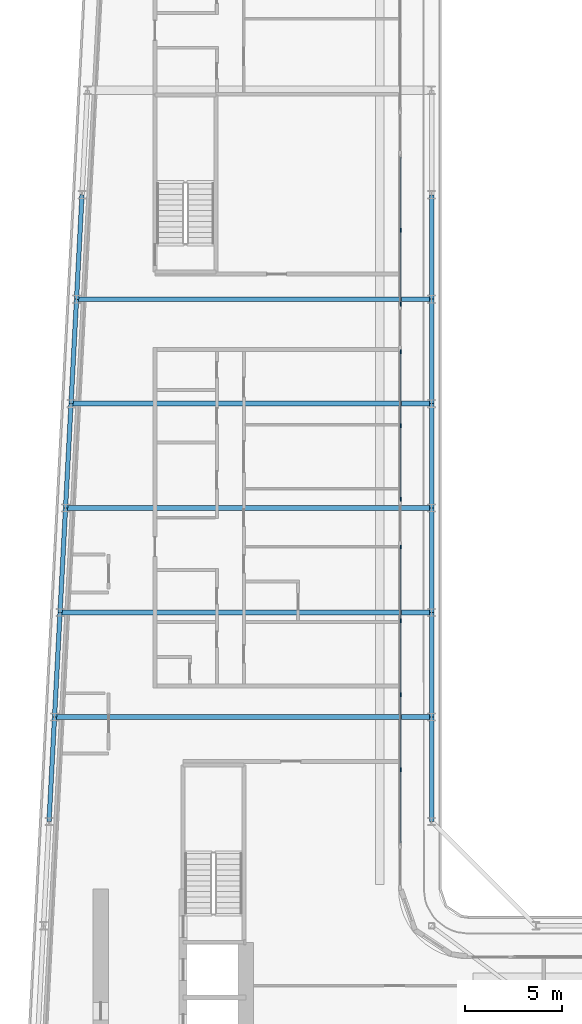
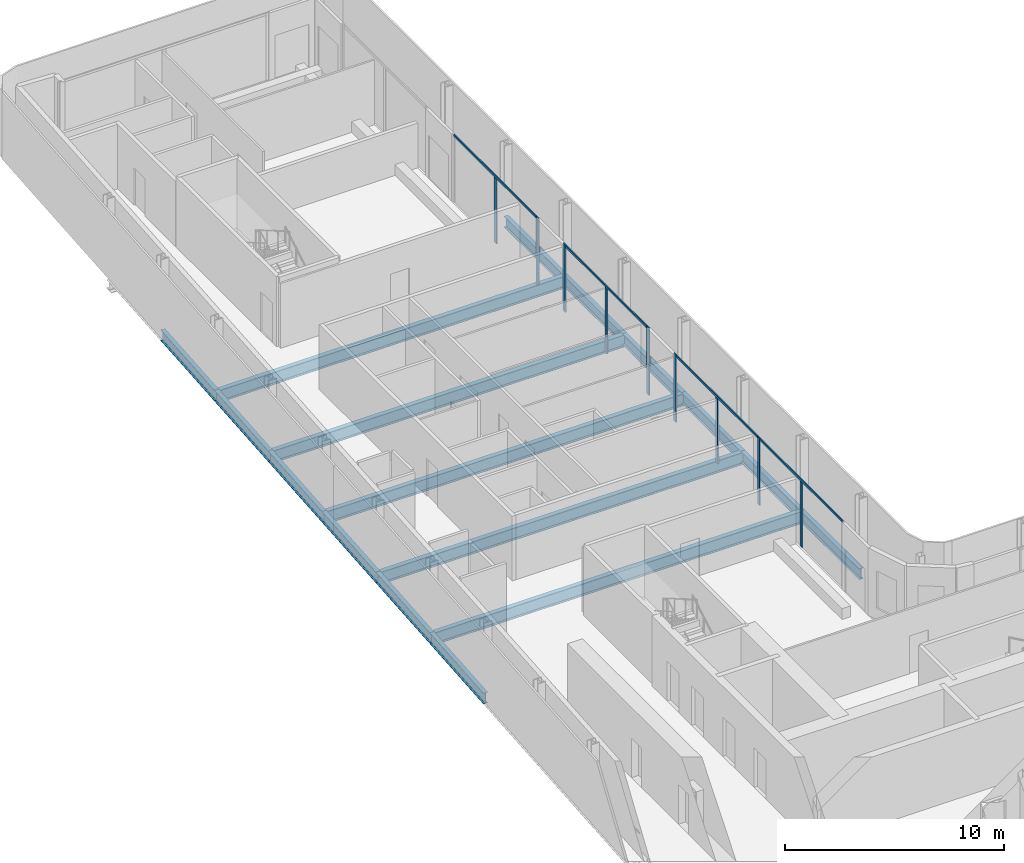
# One storey, part 9 of 29: 17 beams, 13 members, 4 elements without a shape of their own.
"""IFC4 building model written with IfcOpenShell, lengths in metres."""

from ifc_helpers import new_model, si_unit, direction, frame, origin, origin_2d, place, context, subcontext, project, spatial, rectangle, i_section, extrude, material, layer, layer_set, material_profile, profile_set, type_object, element, aggregate, save


model = new_model("IFC4")

# Units and contexts
model_context = context("Model", 3, precision=1e-05, world=origin(), true_north=direction((0.0, 1.0)))
body_context = subcontext(model_context, "Body", "Model", "MODEL_VIEW")
ifc_project = project(units=[si_unit("LENGTHUNIT", "METRE"), si_unit("AREAUNIT", "SQUARE_METRE"), si_unit("VOLUMEUNIT", "CUBIC_METRE"), si_unit("PLANEANGLEUNIT", "RADIAN"), si_unit("MASSUNIT", "GRAM", prefix="KILO")], contexts=[model_context])

# Site, building, storey
site_placement = place(None, origin())
site = spatial("IfcSite", under=ifc_project, at=site_placement, CompositionType="ELEMENT")
building_placement = place(site_placement, origin())
building = spatial("IfcBuilding", under=site, at=building_placement, Name="Kheshtan School and Residences Tower", CompositionType="ELEMENT")
storey_placement = place(building_placement, frame((0.0, 0.0, 168.199951171875)))
storey = spatial("IfcBuildingStorey", under=building, at=storey_placement, Name="L39", CompositionType="ELEMENT", Elevation=168.199951171875)

# Beams
ifc_material_1 = material(Name="Steel ASTM A992 Grade 50", Category="steel")
ifc_material_profile_1 = material_profile(ifc_material_1, i_section(OverallWidth=0.2529296875, OverallDepth=0.677978515625, WebThickness=0.01171875, FlangeThickness=0.016357421875, FilletRadius=0.0146484375, at=origin_2d()), Name="W690x125")
ifc_profile_set_1 = profile_set([ifc_material_profile_1], Name="Steel ASTM A992 Grade 50")
beam_type_1 = type_object("IfcBeamType", Name="Beam FB6 W690x125 ASTM A992 Grade 50", PredefinedType="BEAM", material=ifc_profile_set_1)
beam_1_placement = place(storey_placement, frame((47.60009765625, 78.0, -0.489013671875), z_axis=(-1.0, 0.0, 0.0), x_axis=(0.0, -1.0, 0.0)))
element("IfcBeam", 1, at=beam_1_placement, inside=storey, type_object=beam_type_1, Name="Floor beam C089", PredefinedType="BEAM", context=body_context, shape_type="SweptSolid", body=[
    extrude(i_section(OverallWidth=0.2529296875, OverallDepth=0.677978515625, WebThickness=0.01171875, FlangeThickness=0.016357421875, FilletRadius=0.0146484375, at=origin_2d()), origin(), (0.0, 0.0, 1.0), 18.357177734375),
])
beam_2_placement = place(storey_placement, frame((47.60009765625, 67.199951171875, -0.489013671875), z_axis=(-1.0, 0.0, 0.0), x_axis=(0.0, -1.0, 0.0)))
element("IfcBeam", 2, at=beam_2_placement, inside=storey, type_object=beam_type_1, Name="Floor beam C085", PredefinedType="BEAM", context=body_context, shape_type="SweptSolid", body=[
    extrude(i_section(OverallWidth=0.2529296875, OverallDepth=0.677978515625, WebThickness=0.01171875, FlangeThickness=0.016357421875, FilletRadius=0.0146484375, at=origin_2d()), origin(), (0.0, 0.0, 1.0), 18.926025390625),
])
beam_3_placement = place(storey_placement, frame((47.60009765625, 56.39990234375, -0.489013671875), z_axis=(-1.0, 0.0, 0.0), x_axis=(0.0, -1.0, 0.0)))
element("IfcBeam", 3, at=beam_3_placement, inside=storey, type_object=beam_type_1, Name="Floor beam C081", PredefinedType="BEAM", context=body_context, shape_type="SweptSolid", body=[
    extrude(i_section(OverallWidth=0.2529296875, OverallDepth=0.677978515625, WebThickness=0.01171875, FlangeThickness=0.016357421875, FilletRadius=0.0146484375, at=origin_2d()), origin(), (0.0, 0.0, 1.0), 19.494140625),
])
beam_4_placement = place(storey_placement, frame((28.389892578125, 61.800048828125, -0.489013671875), z_axis=(1.0, 0.0, 0.0), x_axis=(0.0, 1.0, 0.0)))
element("IfcBeam", 4, at=beam_4_placement, inside=storey, type_object=beam_type_1, Name="Floor beam C082", PredefinedType="BEAM", context=body_context, shape_type="SweptSolid", body=[
    extrude(i_section(OverallWidth=0.2529296875, OverallDepth=0.677978515625, WebThickness=0.01171875, FlangeThickness=0.016357421875, FilletRadius=0.0146484375, at=origin_2d()), origin(), (0.0, 0.0, 1.0), 19.210205078125),
])
beam_5_placement = place(storey_placement, frame((28.9580078125, 72.60009765625, -0.489013671875), z_axis=(1.0, 0.0, 0.0), x_axis=(0.0, 1.0, 0.0)))
element("IfcBeam", 5, at=beam_5_placement, inside=storey, type_object=beam_type_1, Name="Floor beam C086", PredefinedType="BEAM", context=body_context, shape_type="SweptSolid", body=[
    extrude(i_section(OverallWidth=0.2529296875, OverallDepth=0.677978515625, WebThickness=0.01171875, FlangeThickness=0.016357421875, FilletRadius=0.0146484375, at=origin_2d()), origin(), (0.0, 0.0, 1.0), 18.64208984375),
])
ifc_material_profile_2 = material_profile(ifc_material_1, i_section(OverallWidth=0.22802734375, OverallDepth=0.60302734375, WebThickness=0.010498046875, FlangeThickness=0.014892578125, FilletRadius=0.013427734375, at=origin_2d()), Name="W610x101")
ifc_profile_set_2 = profile_set([ifc_material_profile_2], Name="Steel ASTM A992 Grade 50")
beam_type_2 = type_object("IfcBeamType", Name="Beam SP2 W610x101 ASTM A992 Grade 50", PredefinedType="BEAM", material=ifc_profile_set_2)
for number, where, z_axis, x_axis, name in (
    (6, (47.60009765625, 83.39990234375, -0.451416015625), (0.0, -1.0, 0.0), (1.0, 0.0, 0.0), "Spandrel beam C091-C089"),
    (7, (47.60009765625, 78.0, -0.451416015625), (0.0, -1.0, 0.0), (1.0, 0.0, 0.0), "Spandrel beam C089-C087"),
):
    element("IfcBeam", number, at=place(storey_placement, frame(where, z_axis=z_axis, x_axis=x_axis)), inside=storey, type_object=beam_type_2, Name=name, PredefinedType="BEAM", context=body_context, shape_type="SweptSolid", body=[
        extrude(i_section(OverallWidth=0.22802734375, OverallDepth=0.60302734375, WebThickness=0.010498046875, FlangeThickness=0.014892578125, FilletRadius=0.013427734375, at=origin_2d()), origin(), (0.0, 0.0, 1.0), 5.39990234375),
    ])
beam_6_placement = place(storey_placement, frame((47.60009765625, 72.60009765625, -0.451416015625), z_axis=(0.0, -1.0, 0.0), x_axis=(1.0, 0.0, 0.0)))
element("IfcBeam", 8, at=beam_6_placement, inside=storey, type_object=beam_type_2, Name="Spandrel beam C087-C085", PredefinedType="BEAM", context=body_context, shape_type="SweptSolid", body=[
    extrude(i_section(OverallWidth=0.22802734375, OverallDepth=0.60302734375, WebThickness=0.010498046875, FlangeThickness=0.014892578125, FilletRadius=0.013427734375, at=origin_2d()), origin(), (0.0, 0.0, 1.0), 5.400146484375),
])
beam_7_placement = place(storey_placement, frame((47.60009765625, 67.199951171875, -0.451416015625), z_axis=(0.0, -1.0, 0.0), x_axis=(1.0, 0.0, 0.0)))
element("IfcBeam", 9, at=beam_7_placement, inside=storey, type_object=beam_type_2, Name="Spandrel beam C085-C083", PredefinedType="BEAM", context=body_context, shape_type="SweptSolid", body=[
    extrude(i_section(OverallWidth=0.22802734375, OverallDepth=0.60302734375, WebThickness=0.010498046875, FlangeThickness=0.014892578125, FilletRadius=0.013427734375, at=origin_2d()), origin(), (0.0, 0.0, 1.0), 5.39990234375),
])
beam_8_placement = place(storey_placement, frame((47.60009765625, 61.800048828125, -0.451416015625), z_axis=(0.0, -1.0, 0.0), x_axis=(1.0, 0.0, 0.0)))
element("IfcBeam", 10, at=beam_8_placement, inside=storey, type_object=beam_type_2, Name="Spandrel beam C083-C081", PredefinedType="BEAM", context=body_context, shape_type="SweptSolid", body=[
    extrude(i_section(OverallWidth=0.22802734375, OverallDepth=0.60302734375, WebThickness=0.010498046875, FlangeThickness=0.014892578125, FilletRadius=0.013427734375, at=origin_2d()), origin(), (0.0, 0.0, 1.0), 5.400146484375),
])
beam_9_placement = place(storey_placement, frame((47.60009765625, 56.39990234375, -0.451416015625), z_axis=(0.0, -1.0, 0.0), x_axis=(1.0, 0.0, 0.0)))
element("IfcBeam", 11, at=beam_9_placement, inside=storey, type_object=beam_type_2, Name="Spandrel beam C081-C079", PredefinedType="BEAM", context=body_context, shape_type="SweptSolid", body=[
    extrude(i_section(OverallWidth=0.22802734375, OverallDepth=0.60302734375, WebThickness=0.010498046875, FlangeThickness=0.014892578125, FilletRadius=0.013427734375, at=origin_2d()), origin(), (0.0, 0.0, 1.0), 5.39990234375),
])
beam_10_placement = place(storey_placement, frame((27.822021484375, 51.0, -0.451416015625), z_axis=(0.05250906864, 0.998620447272, 0.0), x_axis=(-0.998620447272, 0.05250906864, 0.0)))
element("IfcBeam", 12, at=beam_10_placement, inside=storey, type_object=beam_type_2, Name="Spandrel beam C078-C080", PredefinedType="BEAM", context=body_context, shape_type="SweptSolid", body=[
    extrude(i_section(OverallWidth=0.22802734375, OverallDepth=0.60302734375, WebThickness=0.010498046875, FlangeThickness=0.014892578125, FilletRadius=0.013427734375, at=origin_2d()), origin(), (0.0, 0.0, 1.0), 5.407470703125),
])
beam_11_placement = place(storey_placement, frame((28.10595703125, 56.39990234375, -0.451416015625), z_axis=(0.05250670125, 0.998620571751, 0.0), x_axis=(-0.998620571751, 0.05250670125, 0.0)))
element("IfcBeam", 13, at=beam_11_placement, inside=storey, type_object=beam_type_2, Name="Spandrel beam C080-C082", PredefinedType="BEAM", context=body_context, shape_type="SweptSolid", body=[
    extrude(i_section(OverallWidth=0.22802734375, OverallDepth=0.60302734375, WebThickness=0.010498046875, FlangeThickness=0.014892578125, FilletRadius=0.013427734375, at=origin_2d()), origin(), (0.0, 0.0, 1.0), 5.40771484375),
])
beam_12_placement = place(storey_placement, frame((28.389892578125, 61.800048828125, -0.451416015625), z_axis=(0.052554093665, 0.998618078766, 0.0), x_axis=(-0.998618078766, 0.052554093665, 0.0)))
element("IfcBeam", 14, at=beam_12_placement, inside=storey, type_object=beam_type_2, Name="Spandrel beam C082-C084", PredefinedType="BEAM", context=body_context, shape_type="SweptSolid", body=[
    extrude(i_section(OverallWidth=0.22802734375, OverallDepth=0.60302734375, WebThickness=0.010498046875, FlangeThickness=0.014892578125, FilletRadius=0.013427734375, at=origin_2d()), origin(), (0.0, 0.0, 1.0), 5.407470703125),
])
beam_13_placement = place(storey_placement, frame((28.674072265625, 67.199951171875, -0.451416015625), z_axis=(0.05250670125, 0.998620571751, 0.0), x_axis=(-0.998620571751, 0.05250670125, 0.0)))
element("IfcBeam", 15, at=beam_13_placement, inside=storey, type_object=beam_type_2, Name="Spandrel beam C084-C086", PredefinedType="BEAM", context=body_context, shape_type="SweptSolid", body=[
    extrude(i_section(OverallWidth=0.22802734375, OverallDepth=0.60302734375, WebThickness=0.010498046875, FlangeThickness=0.014892578125, FilletRadius=0.013427734375, at=origin_2d()), origin(), (0.0, 0.0, 1.0), 5.40771484375),
])
for number, where, z_axis, x_axis, name in (
    (16, (28.9580078125, 72.60009765625, -0.451416015625), (0.052689166816, 0.998610961136, 0.0), (-0.998610961136, 0.052689166816, 0.0), "Spandrel beam C086-C088"),
    (17, (29.242919921875, 78.0, -0.451416015625), (0.052554093665, 0.998618078766, 0.0), (-0.998618078766, 0.052554093665, 0.0), "Spandrel beam C088-C090"),
):
    element("IfcBeam", number, at=place(storey_placement, frame(where, z_axis=z_axis, x_axis=x_axis)), inside=storey, type_object=beam_type_2, Name=name, PredefinedType="BEAM", context=body_context, shape_type="SweptSolid", body=[
        extrude(i_section(OverallWidth=0.22802734375, OverallDepth=0.60302734375, WebThickness=0.010498046875, FlangeThickness=0.014892578125, FilletRadius=0.013427734375, at=origin_2d()), origin(), (0.0, 0.0, 1.0), 5.407470703125),
    ])

# Curtain wall, members
ifc_material_2 = material(Name="Clear low-e glass in thermally broken aluminium frame", Category="aluminium")
ifc_layer = layer(ifc_material_2, 0.199951171875)
ifc_layer_set = layer_set([ifc_layer], Name="Curtain wall CW-L")
curtain_wall_type = type_object("IfcCurtainWallType", Name="Curtain wall CW-L", PredefinedType="NOTDEFINED", material=ifc_layer_set)
curtain_wall_1_placement = place(storey_placement, origin())
curtain_wall_1 = element("IfcCurtainWall", 18, at=curtain_wall_1_placement, inside=storey, type_object=curtain_wall_type, Name="Curtain wall CWL8", PredefinedType="NOTDEFINED")
ifc_material_3 = material(Name="Thermally broken aluminium, dark bronze anodised", Category="aluminium")
ifc_material_profile_3 = material_profile(ifc_material_3, rectangle(XDim=0.06005859375, YDim=0.199951171875, at=origin_2d()), Name="CW-L mullion 60x200")
ifc_profile_set_3 = profile_set([ifc_material_profile_3], Name="Thermally broken aluminium, dark bronze anodised")
member_type_1 = type_object("IfcMemberType", Name="CW-L mullion 60x200", PredefinedType="MULLION", material=ifc_profile_set_3)
member_1_placement = place(storey_placement, frame((46.0, 81.55908203125, 0.0), z_axis=(0.0, 0.0, 1.0), x_axis=(1.0, 0.0, 0.0)))
member_1 = element("IfcMember", 19, at=member_1_placement, type_object=member_type_1, Name="CWL8 mullion 2", PredefinedType="MULLION", context=body_context, shape_type="SweptSolid", body=[
    extrude(rectangle(XDim=0.06005859375, YDim=0.199951171875, at=origin_2d()), origin(), (0.0, 0.0, 1.0), 3.630126953125),
])
member_2_placement = place(storey_placement, frame((46.0, 77.741943359375, 0.0), z_axis=(0.0, 0.0, 1.0), x_axis=(1.0, 0.0, 0.0)))
member_2 = element("IfcMember", 20, at=member_2_placement, type_object=member_type_1, Name="CWL8 mullion 3", PredefinedType="MULLION", context=body_context, shape_type="SweptSolid", body=[
    extrude(rectangle(XDim=0.06005859375, YDim=0.199951171875, at=origin_2d()), origin(), (0.0, 0.0, 1.0), 3.75),
])

curtain_wall_2_placement = place(storey_placement, origin())
curtain_wall_2 = element("IfcCurtainWall", 21, at=curtain_wall_2_placement, inside=storey, type_object=curtain_wall_type, Name="Curtain wall CWL8", PredefinedType="NOTDEFINED")
member_3_placement = place(storey_placement, frame((46.0, 75.281982421875, 0.0), z_axis=(0.0, 0.0, 1.0), x_axis=(1.0, 0.0, 0.0)))
member_3 = element("IfcMember", 22, at=member_3_placement, type_object=member_type_1, Name="CWL8 mullion 1", PredefinedType="MULLION", context=body_context, shape_type="SweptSolid", body=[
    extrude(rectangle(XDim=0.06005859375, YDim=0.199951171875, at=origin_2d()), origin(), (0.0, 0.0, 1.0), 3.75),
])
member_4_placement = place(storey_placement, frame((46.0, 71.465087890625, 0.0), z_axis=(0.0, 0.0, 1.0), x_axis=(1.0, 0.0, 0.0)))
member_4 = element("IfcMember", 23, at=member_4_placement, type_object=member_type_1, Name="CWL8 mullion 2", PredefinedType="MULLION", context=body_context, shape_type="SweptSolid", body=[
    extrude(rectangle(XDim=0.06005859375, YDim=0.199951171875, at=origin_2d()), origin(), (0.0, 0.0, 1.0), 3.630126953125),
])
member_5_placement = place(storey_placement, frame((46.0, 67.64794921875, 0.0), z_axis=(0.0, 0.0, 1.0), x_axis=(1.0, 0.0, 0.0)))
member_5 = element("IfcMember", 24, at=member_5_placement, type_object=member_type_1, Name="CWL8 mullion 3", PredefinedType="MULLION", context=body_context, shape_type="SweptSolid", body=[
    extrude(rectangle(XDim=0.06005859375, YDim=0.199951171875, at=origin_2d()), origin(), (0.0, 0.0, 1.0), 3.75),
])

curtain_wall_3_placement = place(storey_placement, origin())
curtain_wall_3 = element("IfcCurtainWall", 25, at=curtain_wall_3_placement, inside=storey, type_object=curtain_wall_type, Name="Curtain wall CWL8", PredefinedType="NOTDEFINED")
member_6_placement = place(storey_placement, frame((46.0, 65.18798828125, 0.0), z_axis=(0.0, 0.0, 1.0), x_axis=(1.0, 0.0, 0.0)))
member_6 = element("IfcMember", 26, at=member_6_placement, type_object=member_type_1, Name="CWL8 mullion 1", PredefinedType="MULLION", context=body_context, shape_type="SweptSolid", body=[
    extrude(rectangle(XDim=0.06005859375, YDim=0.199951171875, at=origin_2d()), origin(), (0.0, 0.0, 1.0), 3.75),
])
member_7_placement = place(storey_placement, frame((46.0, 61.37109375, 0.0), z_axis=(0.0, 0.0, 1.0), x_axis=(1.0, 0.0, 0.0)))
member_7 = element("IfcMember", 27, at=member_7_placement, type_object=member_type_1, Name="CWL8 mullion 2", PredefinedType="MULLION", context=body_context, shape_type="SweptSolid", body=[
    extrude(rectangle(XDim=0.06005859375, YDim=0.199951171875, at=origin_2d()), origin(), (0.0, 0.0, 1.0), 3.630126953125),
])
member_8_placement = place(storey_placement, frame((46.0, 57.553955078125, 0.0), z_axis=(0.0, 0.0, 1.0), x_axis=(1.0, 0.0, 0.0)))
member_8 = element("IfcMember", 28, at=member_8_placement, type_object=member_type_1, Name="CWL8 mullion 3", PredefinedType="MULLION", context=body_context, shape_type="SweptSolid", body=[
    extrude(rectangle(XDim=0.06005859375, YDim=0.199951171875, at=origin_2d()), origin(), (0.0, 0.0, 1.0), 3.75),
])

# Curtain wall, member
curtain_wall_4_placement = place(storey_placement, origin())
curtain_wall_4 = element("IfcCurtainWall", 29, at=curtain_wall_4_placement, inside=storey, type_object=curtain_wall_type, Name="Curtain wall CWL8", PredefinedType="NOTDEFINED")
member_9_placement = place(storey_placement, frame((46.0, 53.677001953125, 0.0), z_axis=(0.0, 0.0, 1.0), x_axis=(1.0, 0.0, 0.0)))
member_9 = element("IfcMember", 30, at=member_9_placement, type_object=member_type_1, Name="CWL8 mullion 2", PredefinedType="MULLION", context=body_context, shape_type="SweptSolid", body=[
    extrude(rectangle(XDim=0.06005859375, YDim=0.199951171875, at=origin_2d()), origin(), (0.0, 0.0, 1.0), 3.630126953125),
])

# Member
ifc_material_profile_4 = material_profile(ifc_material_3, rectangle(XDim=0.06005859375, YDim=0.1201171875, at=origin_2d()), Name="CW-L transom 60x120")
ifc_profile_set_4 = profile_set([ifc_material_profile_4], Name="Thermally broken aluminium, dark bronze anodised")
member_type_2 = type_object("IfcMemberType", Name="CW-L transom 60x120", PredefinedType="USERDEFINED", material=ifc_profile_set_4)
member_10_placement = place(storey_placement, frame((46.0, 85.345947265625, 3.68994140625), z_axis=(0.0, -1.0, 0.0), x_axis=(1.0, 0.0, 0.0)))
member_10 = element("IfcMember", 31, at=member_10_placement, type_object=member_type_2, Name="CWL8 transom 1", ObjectType="TRANSOM", PredefinedType="USERDEFINED", context=body_context, shape_type="SweptSolid", body=[
    extrude(rectangle(XDim=0.06005859375, YDim=0.1201171875, at=origin_2d()), origin(), (0.0, 0.0, 1.0), 7.573974609375),
])

aggregate(curtain_wall_1, [member_1, member_2, member_10])

member_11_placement = place(storey_placement, frame((46.0, 75.251953125, 3.68994140625), z_axis=(0.0, -1.0, 0.0), x_axis=(1.0, 0.0, 0.0)))
member_11 = element("IfcMember", 32, at=member_11_placement, type_object=member_type_2, Name="CWL8 transom 1", ObjectType="TRANSOM", PredefinedType="USERDEFINED", context=body_context, shape_type="SweptSolid", body=[
    extrude(rectangle(XDim=0.06005859375, YDim=0.1201171875, at=origin_2d()), origin(), (0.0, 0.0, 1.0), 7.573974609375),
])

aggregate(curtain_wall_2, [member_3, member_4, member_5, member_11])

member_12_placement = place(storey_placement, frame((46.0, 65.157958984375, 3.68994140625), z_axis=(0.0, -1.0, 0.0), x_axis=(1.0, 0.0, 0.0)))
member_12 = element("IfcMember", 33, at=member_12_placement, type_object=member_type_2, Name="CWL8 transom 1", ObjectType="TRANSOM", PredefinedType="USERDEFINED", context=body_context, shape_type="SweptSolid", body=[
    extrude(rectangle(XDim=0.06005859375, YDim=0.1201171875, at=origin_2d()), origin(), (0.0, 0.0, 1.0), 7.573974609375),
])

aggregate(curtain_wall_3, [member_6, member_7, member_8, member_12])

member_13_placement = place(storey_placement, frame((46.0, 57.52392578125, 3.68994140625), z_axis=(0.0, -1.0, 0.0), x_axis=(1.0, 0.0, 0.0)))
member_13 = element("IfcMember", 34, at=member_13_placement, type_object=member_type_2, Name="CWL8 transom 1", ObjectType="TRANSOM", PredefinedType="USERDEFINED", context=body_context, shape_type="SweptSolid", body=[
    extrude(rectangle(XDim=0.06005859375, YDim=0.1201171875, at=origin_2d()), origin(), (0.0, 0.0, 1.0), 7.634033203125),
])

aggregate(curtain_wall_4, [member_9, member_13])

save(model, "model.ifc")
